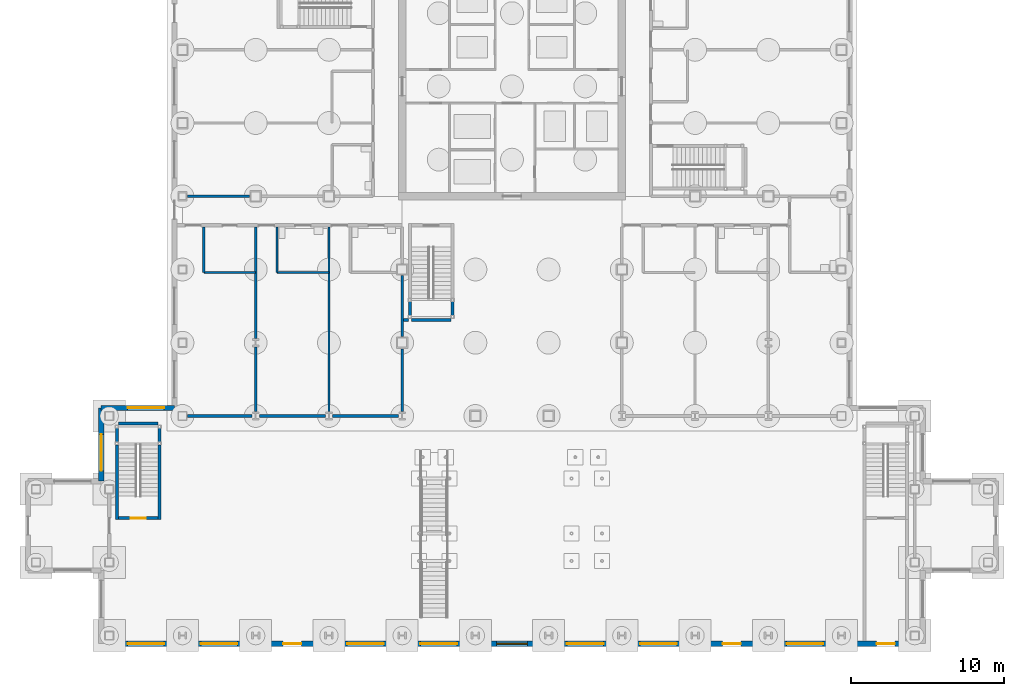
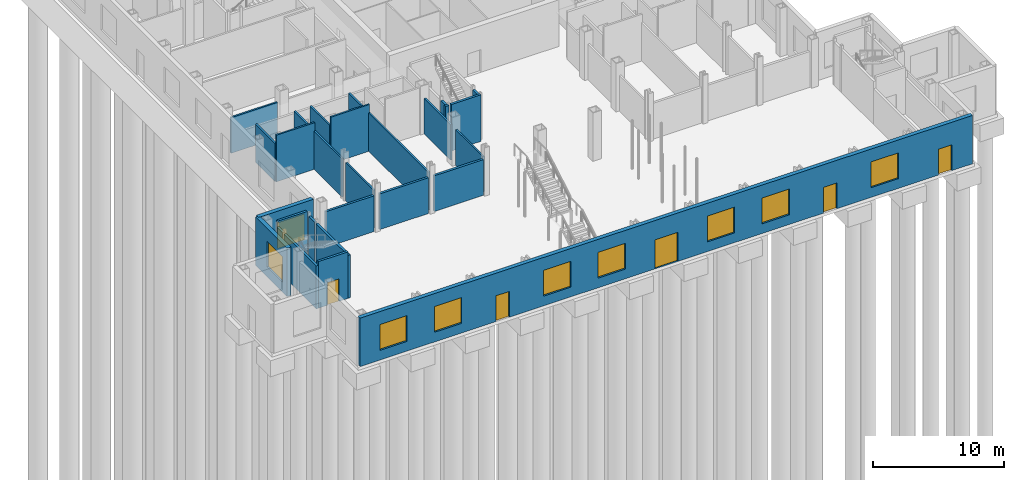
# One storey, part 12 of 22: 26 walls, 9 windows, 5 doors, 14 openings.
"""IFC4 building model written with IfcOpenShell, lengths in metres."""

import ifcopenshell
import ifcopenshell.guid

model = None  # the IFC model being written
_history = None  # IfcOwnerHistory: only IFC2X3 demands one
_inside = {}  # id of a spatial element -> (the spatial element, [elements in it])
_under = {}  # id of a project, library or spatial element -> (it, [spatial elements below it])
_declared = {}  # id of a project -> (the project, [libraries it declares])
_typed = {}  # id of a type object -> (the type object, [elements of that type])
_made_of = {}  # id of a material, layer set ... -> (it, [elements and type objects made of it])


def new_model(schema):
    """Start an empty IFC model of exactly this schema.

    Asked for "IFC4X3", IfcOpenShell would pick the latest addendum, in which some entities
    have other attributes; the version numbers below select the first issue.
    IFC2X3 requires an IfcOwnerHistory on every rooted entity: one is made here for all.
    """
    global model, _history
    if schema == "IFC4X3":
        model = ifcopenshell.file(schema_version=(4, 3, 0, 0))
    else:
        model = ifcopenshell.file(schema=schema)
    _inside.clear()
    _under.clear()
    _declared.clear()
    _typed.clear()
    _made_of.clear()
    _history = None
    if model.schema == "IFC2X3":
        org = make("IfcOrganization", Name="unknown")
        user = make(
            "IfcPersonAndOrganization",
            ThePerson=make("IfcPerson", FamilyName="unknown"),
            TheOrganization=org,
        )
        app = make(
            "IfcApplication",
            ApplicationDeveloper=org,
            Version="unknown",
            ApplicationFullName="unknown",
            ApplicationIdentifier="unknown",
        )
        _history = make(
            "IfcOwnerHistory",
            OwningUser=user,
            OwningApplication=app,
            ChangeAction="ADDED",
            CreationDate=0,
        )
    return model


def make(cls, **values):
    """One entity of the class cls with the attributes given. An attribute that is None is left unset."""
    return model.create_entity(
        cls, **{name: value for name, value in values.items() if value is not None}
    )


def rooted(cls, **values):
    """An entity with a GlobalId (a new one), such as an element, a storey or a relation."""
    return make(cls, GlobalId=ifcopenshell.guid.new(), OwnerHistory=_history, **values)


def si_unit(unit_type, name, prefix=None):
    """IfcSIUnit, for example si_unit("LENGTHUNIT", "METRE", prefix="MILLI")."""
    return make("IfcSIUnit", UnitType=unit_type, Prefix=prefix, Name=name)


def assignment(units):
    """IfcUnitAssignment: the units of a project."""
    return None if units is None else make("IfcUnitAssignment", Units=units)


def point(xyz):
    """IfcCartesianPoint."""
    return None if xyz is None else make("IfcCartesianPoint", Coordinates=xyz)


def direction(xyz):
    """IfcDirection."""
    return None if xyz is None else make("IfcDirection", DirectionRatios=xyz)


def frame(location, z_axis=None, x_axis=None):
    """IfcAxis2Placement3D, a coordinate frame: its origin and axes. An axis left out is left unset."""
    return make(
        "IfcAxis2Placement3D",
        Location=point(location),
        Axis=direction(z_axis),
        RefDirection=direction(x_axis),
    )


def frame_2d(location, x_axis=None):
    """IfcAxis2Placement2D, a coordinate frame in the plane: its origin and x axis."""
    return make(
        "IfcAxis2Placement2D", Location=point(location), RefDirection=direction(x_axis)
    )


def origin():
    """The frame at (0, 0, 0) with its axes left unset."""
    return frame((0.0, 0.0, 0.0))


def place(relative_to, where):
    """IfcLocalPlacement: puts the frame where relative to a parent placement (None: the world)."""
    return make(
        "IfcLocalPlacement", PlacementRelTo=relative_to, RelativePlacement=where
    )


def context(
    kind, dimensions, precision=None, world=None, true_north=None, identifier=None
):
    """IfcGeometricRepresentationContext, for example the 3D "Model" context."""
    return make(
        "IfcGeometricRepresentationContext",
        ContextIdentifier=identifier,
        ContextType=kind,
        CoordinateSpaceDimension=dimensions,
        Precision=precision,
        WorldCoordinateSystem=world,
        TrueNorth=true_north,
    )


def subcontext(parent, identifier, kind, view, scale=None):
    """IfcGeometricRepresentationSubContext, for example "Body" below "Model"."""
    return make(
        "IfcGeometricRepresentationSubContext",
        ContextIdentifier=identifier,
        ContextType=kind,
        ParentContext=parent,
        TargetScale=scale,
        TargetView=view,
    )


def project(units=None, contexts=None):
    """IfcProject with its units and contexts."""
    return rooted(
        "IfcProject",
        Name="project",
        RepresentationContexts=contexts,
        UnitsInContext=assignment(units),
    )


def spatial(cls, under=None, at=None, **own):
    """A site, building, storey or space (cls), placed at a placement, below another one or the project."""
    s = rooted(cls, ObjectPlacement=at, **own)
    if under is not None:
        _under.setdefault(under.id(), (under, []))[1].append(s)
    return s


def profile(cls, at=None, kind="AREA", **sizes):
    """A parametric profile (cls). Its sizes go by their IFC names, for example OverallWidth=200.0."""
    return make(cls, ProfileType=kind, Position=at, **sizes)


def rectangle(**sizes):
    """IfcRectangleProfileDef."""
    return profile("IfcRectangleProfileDef", **sizes)


def extrude(swept, where, along, depth):
    """IfcExtrudedAreaSolid: the profile swept, set in the frame where, extruded along a direction by depth."""
    return make(
        "IfcExtrudedAreaSolid",
        SweptArea=swept,
        Position=where,
        ExtrudedDirection=direction(along),
        Depth=depth,
    )


def shape(context_of_items, identifier, shape_type, items):
    """IfcShapeRepresentation: the items that make up one representation, for example the "Body"."""
    return make(
        "IfcShapeRepresentation",
        ContextOfItems=context_of_items,
        RepresentationIdentifier=identifier,
        RepresentationType=shape_type,
        Items=items,
    )


def material(Name=None, Category=None):
    """IfcMaterial."""
    return make("IfcMaterial", Name=Name, Category=Category)


def layer(
    of_material, thickness, ventilated=None, Name=None, Category=None, Priority=None
):
    """IfcMaterialLayer: one layer of a wall or slab, of a material (None: an air gap)."""
    return make(
        "IfcMaterialLayer",
        Material=of_material,
        LayerThickness=thickness,
        IsVentilated=ventilated,
        Name=Name,
        Category=Category,
        Priority=Priority,
    )


def layer_set(layers, Name=None):
    """IfcMaterialLayerSet."""
    return make("IfcMaterialLayerSet", MaterialLayers=layers, LayerSetName=Name)


def made_of(thing, what):
    """Note that an element or type object is made of a material, layer set ...; save() writes the relation."""
    if what is not None:
        _made_of.setdefault(what.id(), (what, []))[1].append(thing)
    return thing


def type_object(cls, material=None, **own):
    """A type object (cls), such as IfcWallType, which elements share."""
    return made_of(rooted(cls, **own), material)


def element(
    cls,
    number,
    at=None,
    inside=None,
    cuts=None,
    type_object=None,
    material=None,
    context=None,
    identifier="Body",
    shape_type=None,
    held_by="IfcProductDefinitionShape",
    body=None,
    shapes=None,
    **own,
):
    """One element of the class cls, such as IfcWall. Its Tag is "e" and its number.

    at: its placement. inside: the storey or other place that contains it. cuts: it is an
    opening in that element (IfcRelVoidsElement). A single representation is given by context,
    identifier, shape_type and body (its items); several are given by shapes. held_by: the class
    of the entity that holds the representations. save() writes the other relations.
    """
    e = rooted(cls, Tag="e%d" % number, ObjectPlacement=at, **own)
    if body is not None:
        shapes = [shape(context, identifier, shape_type, body)]
    if shapes is not None:
        e.Representation = make(held_by, Representations=shapes)
    if inside is not None:
        _inside.setdefault(inside.id(), (inside, []))[1].append(e)
    if cuts is not None:
        rooted(
            "IfcRelVoidsElement", RelatingBuildingElement=cuts, RelatedOpeningElement=e
        )
    if type_object is not None:
        _typed.setdefault(type_object.id(), (type_object, []))[1].append(e)
    return made_of(e, material)


def fill(opening, filler):
    """IfcRelFillsElement: the door or window that sits in an opening."""
    return rooted(
        "IfcRelFillsElement",
        RelatingOpeningElement=opening,
        RelatedBuildingElement=filler,
    )


def aggregate(whole, parts):
    """IfcRelAggregates: a whole, such as a stair, and the parts it consists of."""
    return rooted("IfcRelAggregates", RelatingObject=whole, RelatedObjects=parts)


def save(model, path):
    """Write the relations noted so far, then the file.

    IfcRelAggregates (storeys below a building ...), IfcRelContainedInSpatialStructure (elements
    in a storey), IfcRelDefinesByType, IfcRelAssociatesMaterial and IfcRelDeclares: one each for
    every whole, place, type object, material and project.
    """
    for whole, parts in _under.values():
        aggregate(whole, parts)
    for where, things in _inside.values():
        rooted(
            "IfcRelContainedInSpatialStructure",
            RelatedElements=things,
            RelatingStructure=where,
        )
    for kind, things in _typed.values():
        rooted("IfcRelDefinesByType", RelatedObjects=things, RelatingType=kind)
    for what, things in _made_of.values():
        rooted("IfcRelAssociatesMaterial", RelatedObjects=things, RelatingMaterial=what)
    for by, libraries in _declared.values():
        rooted("IfcRelDeclares", RelatingContext=by, RelatedDefinitions=libraries)
    model.write(path)


model = new_model("IFC4")

# Units and contexts
model_context = context("Model", 3, precision=1e-05, world=origin(), true_north=direction((0.0, 1.0)))
body_context = subcontext(model_context, "Body", "Model", "MODEL_VIEW")
ifc_project = project(units=[si_unit("LENGTHUNIT", "METRE"), si_unit("AREAUNIT", "SQUARE_METRE"), si_unit("VOLUMEUNIT", "CUBIC_METRE"), si_unit("PLANEANGLEUNIT", "RADIAN"), si_unit("MASSUNIT", "GRAM", prefix="KILO")], contexts=[model_context])

# Site, building, storey
site_placement = place(None, origin())
site = spatial("IfcSite", under=ifc_project, at=site_placement, CompositionType="ELEMENT")
building_placement = place(site_placement, origin())
building = spatial("IfcBuilding", under=site, at=building_placement, Name="Kvirike Care Tower", CompositionType="ELEMENT")
storey_placement = place(building_placement, origin())
storey = spatial("IfcBuildingStorey", under=building, at=storey_placement, Name="L00", CompositionType="ELEMENT", Elevation=0.0)

# Walls
ifc_material_1 = material(Name="Plasterboard partition", Category="gypsum")
ifc_layer_1 = layer(ifc_material_1, 0.14990234375)
ifc_layer_set_1 = layer_set([ifc_layer_1], Name="CLINIC PARTITION 150")
wall_type_1 = type_object("IfcWallType", Name="CLINIC PARTITION 150", PredefinedType="PARTITIONING", material=ifc_layer_set_1)
wall_1_placement = place(storey_placement, frame((1.39990234375, 23.800048828125, 0.0), z_axis=(0.0, 0.0, 1.0), x_axis=(0.0, 1.0, 0.0)))
element("IfcWall", 1, at=wall_1_placement, inside=storey, type_object=wall_type_1, Name="Clinic Partition 150 L00", PredefinedType="PARTITIONING", context=body_context, shape_type="SweptSolid", body=[
    extrude(rectangle(XDim=3.0, YDim=0.14990234375, at=frame_2d((1.5, 0.0))), origin(), (0.0, 0.0, 1.0), 3.550048828125),
])
wall_2_placement = place(storey_placement, frame((1.39990234375, 23.800048828125, 0.0), z_axis=(0.0, 0.0, 1.0), x_axis=(1.0, 0.0, 0.0)))
element("IfcWall", 2, at=wall_2_placement, inside=storey, type_object=wall_type_1, Name="Clinic Partition 150 L00", PredefinedType="PARTITIONING", context=body_context, shape_type="SweptSolid", body=[
    extrude(rectangle(XDim=3.400146484375, YDim=0.14990234375, at=frame_2d((1.7001953125, 0.0))), origin(), (0.0, 0.0, 1.0), 4.330078125),
])
wall_3_placement = place(storey_placement, frame((6.199951171875, 23.800048828125, 0.0), z_axis=(0.0, 0.0, 1.0), x_axis=(0.0, 1.0, 0.0)))
element("IfcWall", 3, at=wall_3_placement, inside=storey, type_object=wall_type_1, Name="Clinic Partition 150 L00", PredefinedType="PARTITIONING", context=body_context, shape_type="SweptSolid", body=[
    extrude(rectangle(XDim=3.0, YDim=0.14990234375, at=frame_2d((1.5, 0.0))), origin(), (0.0, 0.0, 1.0), 3.550048828125),
])
wall_4_placement = place(storey_placement, frame((6.199951171875, 23.800048828125, 0.0), z_axis=(0.0, 0.0, 1.0), x_axis=(1.0, 0.0, 0.0)))
element("IfcWall", 4, at=wall_4_placement, inside=storey, type_object=wall_type_1, Name="Clinic Partition 150 L00", PredefinedType="PARTITIONING", context=body_context, shape_type="SweptSolid", body=[
    extrude(rectangle(XDim=3.400146484375, YDim=0.14990234375, at=frame_2d((1.7001953125, 0.0))), origin(), (0.0, 0.0, 1.0), 4.330078125),
])
wall_5_placement = place(storey_placement, frame((4.800048828125, 14.685546875, 0.0), z_axis=(0.0, 0.0, 1.0), x_axis=(0.0, 1.0, 0.0)))
element("IfcWall", 5, at=wall_5_placement, inside=storey, type_object=wall_type_1, Name="Clinic Partition 150 L00", PredefinedType="PARTITIONING", context=body_context, shape_type="SweptSolid", body=[
    extrude(rectangle(XDim=4.22900390625, YDim=0.14990234375, at=frame_2d((2.114501953125, 0.0))), origin(), (0.0, 0.0, 1.0), 3.550048828125),
])
wall_6_placement = place(storey_placement, frame((4.800048828125, 19.485595703125, 0.0), z_axis=(0.0, 0.0, 1.0), x_axis=(0.0, 1.0, 0.0)))
element("IfcWall", 6, at=wall_6_placement, inside=storey, type_object=wall_type_1, Name="Clinic Partition 150 L00", PredefinedType="PARTITIONING", context=body_context, shape_type="SweptSolid", body=[
    extrude(rectangle(XDim=7.314453125, YDim=0.14990234375, at=frame_2d((3.6572265625, 0.0))), origin(), (0.0, 0.0, 1.0), 3.550048828125),
])
wall_7_placement = place(storey_placement, frame((9.60009765625, 14.685546875, 0.0), z_axis=(0.0, 0.0, 1.0), x_axis=(0.0, 1.0, 0.0)))
element("IfcWall", 7, at=wall_7_placement, inside=storey, type_object=wall_type_1, Name="Clinic Partition 150 L00", PredefinedType="PARTITIONING", context=body_context, shape_type="SweptSolid", body=[
    extrude(rectangle(XDim=12.114501953125, YDim=0.14990234375, at=frame_2d((6.05712890625, 0.0))), origin(), (0.0, 0.0, 1.0), 3.550048828125),
])
wall_8_placement = place(storey_placement, frame((4.405029296875, 28.800048828125, 0.0), z_axis=(0.0, 0.0, 1.0), x_axis=(-1.0, 0.0, 0.0)))
element("IfcWall", 8, at=wall_8_placement, inside=storey, type_object=wall_type_1, Name="Clinic Partition 150 L00", PredefinedType="PARTITIONING", context=body_context, shape_type="SweptSolid", body=[
    extrude(rectangle(XDim=4.0849609375, YDim=0.14990234375, at=frame_2d((2.04248046875, 0.0))), origin(), (0.0, 0.0, 1.0), 3.320068359375),
])
wall_9_placement = place(storey_placement, frame((14.39990234375, 14.685546875, 0.0), z_axis=(0.0, 0.0, 1.0), x_axis=(0.0, 1.0, 0.0)))
element("IfcWall", 9, at=wall_9_placement, inside=storey, type_object=wall_type_1, Name="Clinic Partition 150 L00", PredefinedType="PARTITIONING", context=body_context, shape_type="SweptSolid", body=[
    extrude(rectangle(XDim=4.119384765625, YDim=0.14990234375, at=frame_2d((2.0595703125, 0.0))), origin(), (0.0, 0.0, 1.0), 3.320068359375),
])
wall_10_placement = place(storey_placement, frame((14.39990234375, 19.594970703125, 0.0), z_axis=(0.0, 0.0, 1.0), x_axis=(0.0, 1.0, 0.0)))
element("IfcWall", 10, at=wall_10_placement, inside=storey, type_object=wall_type_1, Name="Clinic Partition 150 L00", PredefinedType="PARTITIONING", context=body_context, shape_type="SweptSolid", body=[
    extrude(rectangle(XDim=4.010009765625, YDim=0.14990234375, at=frame_2d((2.0048828125, 0.0))), origin(), (0.0, 0.0, 1.0), 3.320068359375),
])
ifc_material_2 = material(Name="Plasterboard party wall", Category="gypsum")
ifc_layer_2 = layer(ifc_material_2, 0.199951171875)
ifc_layer_set_2 = layer_set([ifc_layer_2], Name="PARTY WALL 200")
wall_type_2 = type_object("IfcWallType", Name="PARTY WALL 200", PredefinedType="PARTITIONING", material=ifc_layer_set_2)
wall_11_placement = place(storey_placement, frame((0.320068359375, 14.39990234375, 0.0), z_axis=(0.0, 0.0, 1.0), x_axis=(1.0, 0.0, 0.0)))
element("IfcWall", 11, at=wall_11_placement, inside=storey, type_object=wall_type_2, Name="Party Wall 200 L00", PredefinedType="PARTITIONING", context=body_context, shape_type="SweptSolid", body=[
    extrude(rectangle(XDim=4.239013671875, YDim=0.199951171875, at=frame_2d((2.11962890625, 0.0))), origin(), (0.0, 0.0, 1.0), 3.320068359375),
])
for number, where, z_axis, x_axis, name in (
    (12, (5.041015625, 14.39990234375, 0.0), (0.0, 0.0, 1.0), (1.0, 0.0, 0.0), "Party Wall 200 L00"),
    (13, (9.841064453125, 14.39990234375, 0.0), (0.0, 0.0, 1.0), (1.0, 0.0, 0.0), "Party Wall 200 L00"),
):
    element("IfcWall", number, at=place(storey_placement, frame(where, z_axis=z_axis, x_axis=x_axis)), inside=storey, type_object=wall_type_2, Name=name, PredefinedType="PARTITIONING", context=body_context, shape_type="SweptSolid", body=[
        extrude(rectangle(XDim=4.31787109375, YDim=0.199951171875, at=frame_2d((2.158935546875, 0.0))), origin(), (0.0, 0.0, 1.0), 3.320068359375),
    ])

# Wall, openings, doors, windows
ifc_material_3 = material(Name="Bronze-clad concrete wall", Category="concrete")
ifc_layer_3 = layer(ifc_material_3, 0.35009765625)
ifc_layer_set_3 = layer_set([ifc_layer_3], Name="PODIUM BASE WALL 350")
wall_type_3 = type_object("IfcWallType", Name="PODIUM BASE WALL 350", PredefinedType="SOLIDWALL", material=ifc_layer_set_3)
wall_12_placement = place(storey_placement, frame((-5.324951171875, -0.52490234375, 0.0), z_axis=(0.0, 0.0, 1.0), x_axis=(1.0, 0.0, 0.0)))
wall_12 = element("IfcWall", 14, at=wall_12_placement, inside=storey, type_object=wall_type_3, Name="Podium base wall face 1", PredefinedType="SOLIDWALL", context=body_context, shape_type="SweptSolid", body=[
    extrude(rectangle(XDim=53.849853515625, YDim=0.35009765625, at=frame_2d((26.9248046875, 0.0))), origin(), (0.0, 0.0, 1.0), 4.5),
])
opening_1_placement = place(wall_12_placement, frame((25.925048828125, 0.0, 0.0)))
opening_1 = element("IfcOpeningElement", 15, at=opening_1_placement, cuts=wall_12, Name="Opening 00-901", PredefinedType="OPENING", context=body_context, shape_type="SweptSolid", body=[
    extrude(rectangle(XDim=2.0, YDim=2.699951171875, at=frame_2d((1.0, 1.35009765625))), frame((0.0, 0.185546875, 0.0), z_axis=(0.0, -1.0, 0.0), x_axis=(1.0, 0.0, 0.0)), (0.0, 0.0, 1.0), 0.37109375),
])
opening_2_placement = place(wall_12_placement, frame((11.925048828125, 0.0, 0.0)))
opening_2 = element("IfcOpeningElement", 16, at=opening_2_placement, cuts=wall_12, Name="Opening 00-902", PredefinedType="OPENING", context=body_context, shape_type="SweptSolid", body=[
    extrude(rectangle(XDim=1.199951171875, YDim=2.39990234375, at=frame_2d((0.60009765625, 1.199951171875))), frame((0.0, 0.185546875, 0.0), z_axis=(0.0, -1.0, 0.0), x_axis=(1.0, 0.0, 0.0)), (0.0, 0.0, 1.0), 0.37109375),
])
opening_3_placement = place(wall_12_placement, frame((40.72509765625, 0.0, 0.0)))
opening_3 = element("IfcOpeningElement", 17, at=opening_3_placement, cuts=wall_12, Name="Opening 00-903", PredefinedType="OPENING", context=body_context, shape_type="SweptSolid", body=[
    extrude(rectangle(XDim=1.199951171875, YDim=2.39990234375, at=frame_2d((0.60009765625, 1.199951171875))), frame((0.0, 0.185546875, 0.0), z_axis=(0.0, -1.0, 0.0), x_axis=(1.0, 0.0, 0.0)), (0.0, 0.0, 1.0), 0.37109375),
])
opening_4_placement = place(wall_12_placement, frame((50.824951171875, 0.0, 0.0)))
opening_4 = element("IfcOpeningElement", 18, at=opening_4_placement, cuts=wall_12, Name="Opening 00-910", PredefinedType="OPENING", context=body_context, shape_type="SweptSolid", body=[
    extrude(rectangle(XDim=1.199951171875, YDim=2.39990234375, at=frame_2d((0.60009765625, 1.199951171875))), frame((0.0, 0.185546875, 0.0), z_axis=(0.0, -1.0, 0.0), x_axis=(1.0, 0.0, 0.0)), (0.0, 0.0, 1.0), 0.37109375),
])
opening_5_placement = place(wall_12_placement, frame((1.72509765625, 0.0, 0.89990234375)))
opening_5 = element("IfcOpeningElement", 19, at=opening_5_placement, cuts=wall_12, Name="Opening W02", PredefinedType="OPENING", context=body_context, shape_type="SweptSolid", body=[
    extrude(rectangle(XDim=2.39990234375, YDim=2.39990234375, at=frame_2d((1.199951171875, 1.199951171875))), frame((0.0, 0.185546875, 0.0), z_axis=(0.0, -1.0, 0.0), x_axis=(1.0, 0.0, 0.0)), (0.0, 0.0, 1.0), 0.37109375),
])
opening_6_placement = place(wall_12_placement, frame((6.52490234375, 0.0, 0.89990234375)))
opening_6 = element("IfcOpeningElement", 20, at=opening_6_placement, cuts=wall_12, Name="Opening W02", PredefinedType="OPENING", context=body_context, shape_type="SweptSolid", body=[
    extrude(rectangle(XDim=2.39990234375, YDim=2.39990234375, at=frame_2d((1.199951171875, 1.199951171875))), frame((0.0, 0.185546875, 0.0), z_axis=(0.0, -1.0, 0.0), x_axis=(1.0, 0.0, 0.0)), (0.0, 0.0, 1.0), 0.37109375),
])
opening_7_placement = place(wall_12_placement, frame((16.125, 0.0, 0.89990234375)))
opening_7 = element("IfcOpeningElement", 21, at=opening_7_placement, cuts=wall_12, Name="Opening W02", PredefinedType="OPENING", context=body_context, shape_type="SweptSolid", body=[
    extrude(rectangle(XDim=2.39990234375, YDim=2.39990234375, at=frame_2d((1.199951171875, 1.199951171875))), frame((0.0, 0.185546875, 0.0), z_axis=(0.0, -1.0, 0.0), x_axis=(1.0, 0.0, 0.0)), (0.0, 0.0, 1.0), 0.37109375),
])
opening_8_placement = place(wall_12_placement, frame((20.925048828125, 0.0, 0.89990234375)))
opening_8 = element("IfcOpeningElement", 22, at=opening_8_placement, cuts=wall_12, Name="Opening W02", PredefinedType="OPENING", context=body_context, shape_type="SweptSolid", body=[
    extrude(rectangle(XDim=2.39990234375, YDim=2.39990234375, at=frame_2d((1.199951171875, 1.199951171875))), frame((0.0, 0.185546875, 0.0), z_axis=(0.0, -1.0, 0.0), x_axis=(1.0, 0.0, 0.0)), (0.0, 0.0, 1.0), 0.37109375),
])
opening_9_placement = place(wall_12_placement, frame((30.52490234375, 0.0, 0.89990234375)))
opening_9 = element("IfcOpeningElement", 23, at=opening_9_placement, cuts=wall_12, Name="Opening W02", PredefinedType="OPENING", context=body_context, shape_type="SweptSolid", body=[
    extrude(rectangle(XDim=2.39990234375, YDim=2.39990234375, at=frame_2d((1.199951171875, 1.199951171875))), frame((0.0, 0.185546875, 0.0), z_axis=(0.0, -1.0, 0.0), x_axis=(1.0, 0.0, 0.0)), (0.0, 0.0, 1.0), 0.37109375),
])
opening_10_placement = place(wall_12_placement, frame((35.324951171875, 0.0, 0.89990234375)))
opening_10 = element("IfcOpeningElement", 24, at=opening_10_placement, cuts=wall_12, Name="Opening W02", PredefinedType="OPENING", context=body_context, shape_type="SweptSolid", body=[
    extrude(rectangle(XDim=2.39990234375, YDim=2.39990234375, at=frame_2d((1.199951171875, 1.199951171875))), frame((0.0, 0.185546875, 0.0), z_axis=(0.0, -1.0, 0.0), x_axis=(1.0, 0.0, 0.0)), (0.0, 0.0, 1.0), 0.37109375),
])
opening_11_placement = place(wall_12_placement, frame((44.925048828125, 0.0, 0.89990234375)))
opening_11 = element("IfcOpeningElement", 25, at=opening_11_placement, cuts=wall_12, Name="Opening W02", PredefinedType="OPENING", context=body_context, shape_type="SweptSolid", body=[
    extrude(rectangle(XDim=2.39990234375, YDim=2.39990234375, at=frame_2d((1.199951171875, 1.199951171875))), frame((0.0, 0.185546875, 0.0), z_axis=(0.0, -1.0, 0.0), x_axis=(1.0, 0.0, 0.0)), (0.0, 0.0, 1.0), 0.37109375),
])
ifc_material_4 = material(Name="Aluminium door frame", Category="aluminium")
door_type_1 = type_object("IfcDoorType", Name="ENTRANCE DOOR 2000", OperationType="DOUBLE_DOOR_SINGLE_SWING", PredefinedType="DOOR", material=ifc_material_4)
door_1_placement = place(opening_1_placement, frame((2.0, 0.0, 0.0), z_axis=(0.0, 0.0, 1.0), x_axis=(-1.0, 0.0, 0.0)))
door_1 = element("IfcDoor", 26, at=door_1_placement, inside=storey, type_object=door_type_1, Name="Main entrance", OperationType="DOUBLE_DOOR_SINGLE_SWING", OverallHeight=2.699951171875, OverallWidth=2.0, PredefinedType="DOOR", context=body_context, shape_type="SweptSolid", body=[
    extrude(rectangle(XDim=2.0, YDim=2.699951171875, at=frame_2d((1.0, 1.35009765625))), frame((0.0, 0.03515625, 0.0), z_axis=(0.0, -1.0, 0.0), x_axis=(1.0, 0.0, 0.0)), (0.0, 0.0, 1.0), 0.070068359375),
])
fill(opening_1, door_1)
ifc_material_5 = material(Name="Timber door set", Category="wood")
door_type_2 = type_object("IfcDoorType", Name="EXIT DOOR 1200", OperationType="SINGLE_SWING_LEFT", PredefinedType="DOOR", material=ifc_material_5)
door_2_placement = place(opening_2_placement, frame((1.199951171875, 0.0, 0.0), z_axis=(0.0, 0.0, 1.0), x_axis=(-1.0, 0.0, 0.0)))
door_2 = element("IfcDoor", 27, at=door_2_placement, inside=storey, type_object=door_type_2, Name="Reception exit", OperationType="SINGLE_SWING_LEFT", OverallHeight=2.39990234375, OverallWidth=1.199951171875, PredefinedType="DOOR", context=body_context, shape_type="SweptSolid", body=[
    extrude(rectangle(XDim=1.199951171875, YDim=2.39990234375, at=frame_2d((0.60009765625, 1.199951171875))), frame((0.0, 0.02685546875, 0.0), z_axis=(0.0, -1.0, 0.0), x_axis=(1.0, 0.0, 0.0)), (0.0, 0.0, 1.0), 0.053955078125),
])
fill(opening_2, door_2)
door_3_placement = place(opening_3_placement, frame((1.199951171875, 0.0, 0.0), z_axis=(0.0, 0.0, 1.0), x_axis=(-1.0, 0.0, 0.0)))
door_3 = element("IfcDoor", 28, at=door_3_placement, inside=storey, type_object=door_type_2, Name="Cafe exit", OperationType="SINGLE_SWING_LEFT", OverallHeight=2.39990234375, OverallWidth=1.199951171875, PredefinedType="DOOR", context=body_context, shape_type="SweptSolid", body=[
    extrude(rectangle(XDim=1.199951171875, YDim=2.39990234375, at=frame_2d((0.60009765625, 1.199951171875))), frame((0.0, 0.02685546875, 0.0), z_axis=(0.0, -1.0, 0.0), x_axis=(1.0, 0.0, 0.0)), (0.0, 0.0, 1.0), 0.053955078125),
])
fill(opening_3, door_3)
door_4_placement = place(opening_4_placement, frame((1.199951171875, 0.0, 0.0), z_axis=(0.0, 0.0, 1.0), x_axis=(-1.0, 0.0, 0.0)))
door_4 = element("IfcDoor", 29, at=door_4_placement, inside=storey, type_object=door_type_2, Name="Stair 4 exit", OperationType="SINGLE_SWING_LEFT", OverallHeight=2.39990234375, OverallWidth=1.199951171875, PredefinedType="DOOR", context=body_context, shape_type="SweptSolid", body=[
    extrude(rectangle(XDim=1.199951171875, YDim=2.39990234375, at=frame_2d((0.60009765625, 1.199951171875))), frame((0.0, 0.02685546875, 0.0), z_axis=(0.0, -1.0, 0.0), x_axis=(1.0, 0.0, 0.0)), (0.0, 0.0, 1.0), 0.053955078125),
])
fill(opening_4, door_4)
ifc_material_6 = material(Name="Bronze anodised aluminium window", Category="aluminium")
window_type = type_object("IfcWindowType", Name="PODIUM WINDOW 2400", PartitioningType="SINGLE_PANEL", PredefinedType="WINDOW", material=ifc_material_6)
window_1_placement = place(opening_5_placement, origin())
window_1 = element("IfcWindow", 30, at=window_1_placement, inside=storey, type_object=window_type, Name="Podium Window 2400 L00", OverallHeight=2.39990234375, OverallWidth=2.39990234375, PartitioningType="SINGLE_PANEL", PredefinedType="WINDOW", context=body_context, shape_type="SweptSolid", body=[
    extrude(rectangle(XDim=2.39990234375, YDim=2.39990234375, at=frame_2d((1.199951171875, 1.199951171875))), frame((0.0, 0.030029296875, 0.0), z_axis=(0.0, -1.0, 0.0), x_axis=(1.0, 0.0, 0.0)), (0.0, 0.0, 1.0), 0.06005859375),
])
fill(opening_5, window_1)
window_2_placement = place(opening_6_placement, origin())
window_2 = element("IfcWindow", 31, at=window_2_placement, inside=storey, type_object=window_type, Name="Podium Window 2400 L00", OverallHeight=2.39990234375, OverallWidth=2.39990234375, PartitioningType="SINGLE_PANEL", PredefinedType="WINDOW", context=body_context, shape_type="SweptSolid", body=[
    extrude(rectangle(XDim=2.39990234375, YDim=2.39990234375, at=frame_2d((1.199951171875, 1.199951171875))), frame((0.0, 0.030029296875, 0.0), z_axis=(0.0, -1.0, 0.0), x_axis=(1.0, 0.0, 0.0)), (0.0, 0.0, 1.0), 0.06005859375),
])
fill(opening_6, window_2)
window_3_placement = place(opening_7_placement, origin())
window_3 = element("IfcWindow", 32, at=window_3_placement, inside=storey, type_object=window_type, Name="Podium Window 2400 L00", OverallHeight=2.39990234375, OverallWidth=2.39990234375, PartitioningType="SINGLE_PANEL", PredefinedType="WINDOW", context=body_context, shape_type="SweptSolid", body=[
    extrude(rectangle(XDim=2.39990234375, YDim=2.39990234375, at=frame_2d((1.199951171875, 1.199951171875))), frame((0.0, 0.030029296875, 0.0), z_axis=(0.0, -1.0, 0.0), x_axis=(1.0, 0.0, 0.0)), (0.0, 0.0, 1.0), 0.06005859375),
])
fill(opening_7, window_3)
window_4_placement = place(opening_8_placement, origin())
window_4 = element("IfcWindow", 33, at=window_4_placement, inside=storey, type_object=window_type, Name="Podium Window 2400 L00", OverallHeight=2.39990234375, OverallWidth=2.39990234375, PartitioningType="SINGLE_PANEL", PredefinedType="WINDOW", context=body_context, shape_type="SweptSolid", body=[
    extrude(rectangle(XDim=2.39990234375, YDim=2.39990234375, at=frame_2d((1.199951171875, 1.199951171875))), frame((0.0, 0.030029296875, 0.0), z_axis=(0.0, -1.0, 0.0), x_axis=(1.0, 0.0, 0.0)), (0.0, 0.0, 1.0), 0.06005859375),
])
fill(opening_8, window_4)
window_5_placement = place(opening_9_placement, origin())
window_5 = element("IfcWindow", 34, at=window_5_placement, inside=storey, type_object=window_type, Name="Podium Window 2400 L00", OverallHeight=2.39990234375, OverallWidth=2.39990234375, PartitioningType="SINGLE_PANEL", PredefinedType="WINDOW", context=body_context, shape_type="SweptSolid", body=[
    extrude(rectangle(XDim=2.39990234375, YDim=2.39990234375, at=frame_2d((1.199951171875, 1.199951171875))), frame((0.0, 0.030029296875, 0.0), z_axis=(0.0, -1.0, 0.0), x_axis=(1.0, 0.0, 0.0)), (0.0, 0.0, 1.0), 0.06005859375),
])
fill(opening_9, window_5)
window_6_placement = place(opening_10_placement, origin())
window_6 = element("IfcWindow", 35, at=window_6_placement, inside=storey, type_object=window_type, Name="Podium Window 2400 L00", OverallHeight=2.39990234375, OverallWidth=2.39990234375, PartitioningType="SINGLE_PANEL", PredefinedType="WINDOW", context=body_context, shape_type="SweptSolid", body=[
    extrude(rectangle(XDim=2.39990234375, YDim=2.39990234375, at=frame_2d((1.199951171875, 1.199951171875))), frame((0.0, 0.030029296875, 0.0), z_axis=(0.0, -1.0, 0.0), x_axis=(1.0, 0.0, 0.0)), (0.0, 0.0, 1.0), 0.06005859375),
])
fill(opening_10, window_6)
window_7_placement = place(opening_11_placement, origin())
window_7 = element("IfcWindow", 36, at=window_7_placement, inside=storey, type_object=window_type, Name="Podium Window 2400 L00", OverallHeight=2.39990234375, OverallWidth=2.39990234375, PartitioningType="SINGLE_PANEL", PredefinedType="WINDOW", context=body_context, shape_type="SweptSolid", body=[
    extrude(rectangle(XDim=2.39990234375, YDim=2.39990234375, at=frame_2d((1.199951171875, 1.199951171875))), frame((0.0, 0.030029296875, 0.0), z_axis=(0.0, -1.0, 0.0), x_axis=(1.0, 0.0, 0.0)), (0.0, 0.0, 1.0), 0.06005859375),
])
fill(opening_11, window_7)

# Wall, opening, window
wall_13_placement = place(storey_placement, frame((-0.52490234375, 14.925048828125, 0.0), z_axis=(0.0, 0.0, 1.0), x_axis=(-1.0, 0.0, 0.0)))
wall_13 = element("IfcWall", 37, at=wall_13_placement, inside=storey, type_object=wall_type_3, Name="Podium base wall face 15", PredefinedType="SOLIDWALL", context=body_context, shape_type="SweptSolid", body=[
    extrude(rectangle(XDim=4.800048828125, YDim=0.35009765625, at=frame_2d((2.39990234375, 0.0))), origin(), (0.0, 0.0, 1.0), 4.5),
])
opening_12_placement = place(wall_13_placement, frame((0.675048828125, 0.0, 0.89990234375)))
opening_12 = element("IfcOpeningElement", 38, at=opening_12_placement, cuts=wall_13, Name="Opening W02", PredefinedType="OPENING", context=body_context, shape_type="SweptSolid", body=[
    extrude(rectangle(XDim=2.39990234375, YDim=2.39990234375, at=frame_2d((1.199951171875, 1.199951171875))), frame((0.0, 0.185546875, 0.0), z_axis=(0.0, -1.0, 0.0), x_axis=(1.0, 0.0, 0.0)), (0.0, 0.0, 1.0), 0.37109375),
])
window_8_placement = place(opening_12_placement, origin())
window_8 = element("IfcWindow", 39, at=window_8_placement, inside=storey, type_object=window_type, Name="Podium Window 2400 L00", OverallHeight=2.39990234375, OverallWidth=2.39990234375, PartitioningType="SINGLE_PANEL", PredefinedType="WINDOW", context=body_context, shape_type="SweptSolid", body=[
    extrude(rectangle(XDim=2.39990234375, YDim=2.39990234375, at=frame_2d((1.199951171875, 1.199951171875))), frame((0.0, 0.030029296875, 0.0), z_axis=(0.0, -1.0, 0.0), x_axis=(1.0, 0.0, 0.0)), (0.0, 0.0, 1.0), 0.06005859375),
])
fill(opening_12, window_8)

wall_14_placement = place(storey_placement, frame((-5.324951171875, 14.925048828125, 0.0), z_axis=(0.0, 0.0, 1.0), x_axis=(0.0, -1.0, 0.0)))
wall_14 = element("IfcWall", 40, at=wall_14_placement, inside=storey, type_object=wall_type_3, Name="Podium base wall face 16", PredefinedType="SOLIDWALL", context=body_context, shape_type="SweptSolid", body=[
    extrude(rectangle(XDim=4.800048828125, YDim=0.35009765625, at=frame_2d((2.39990234375, 0.0))), origin(), (0.0, 0.0, 1.0), 4.5),
])
opening_13_placement = place(wall_14_placement, frame((1.72509765625, 0.0, 0.89990234375)))
opening_13 = element("IfcOpeningElement", 41, at=opening_13_placement, cuts=wall_14, Name="Opening W02", PredefinedType="OPENING", context=body_context, shape_type="SweptSolid", body=[
    extrude(rectangle(XDim=2.39990234375, YDim=2.39990234375, at=frame_2d((1.199951171875, 1.199951171875))), frame((0.0, 0.185546875, 0.0), z_axis=(0.0, -1.0, 0.0), x_axis=(1.0, 0.0, 0.0)), (0.0, 0.0, 1.0), 0.37109375),
])
window_9_placement = place(opening_13_placement, origin())
window_9 = element("IfcWindow", 42, at=window_9_placement, inside=storey, type_object=window_type, Name="Podium Window 2400 L00", OverallHeight=2.39990234375, OverallWidth=2.39990234375, PartitioningType="SINGLE_PANEL", PredefinedType="WINDOW", context=body_context, shape_type="SweptSolid", body=[
    extrude(rectangle(XDim=2.39990234375, YDim=2.39990234375, at=frame_2d((1.199951171875, 1.199951171875))), frame((0.0, 0.030029296875, 0.0), z_axis=(0.0, -1.0, 0.0), x_axis=(1.0, 0.0, 0.0)), (0.0, 0.0, 1.0), 0.06005859375),
])
fill(opening_13, window_9)

# Walls
ifc_material_7 = material(Name="Concrete C40/50", Category="concrete")
ifc_layer_4 = layer(ifc_material_7, 0.199951171875)
ifc_layer_set_4 = layer_set([ifc_layer_4], Name="STAIR WALL 200")
wall_type_4 = type_object("IfcWallType", Name="STAIR WALL 200", PredefinedType="SOLIDWALL", material=ifc_layer_set_4)
for number, where, z_axis, x_axis, name in (
    (43, (14.89990234375, 21.0, 0.0), (0.0, 0.0, 1.0), (0.0, 1.0, 0.0), "Stair Wall 200 L00"),
    (44, (17.699951171875, 21.0, 0.0), (0.0, 0.0, 1.0), (0.0, 1.0, 0.0), "Stair Wall 200 L00"),
):
    element("IfcWall", number, at=place(storey_placement, frame(where, z_axis=z_axis, x_axis=x_axis)), inside=storey, type_object=wall_type_4, Name=name, PredefinedType="SOLIDWALL", context=body_context, shape_type="SweptSolid", body=[
        extrude(rectangle(XDim=0.89990234375, YDim=0.199951171875, at=frame_2d((0.449951171875, 0.0))), origin(), (0.0, 0.0, 1.0), 3.989990234375),
    ])
wall_15_placement = place(storey_placement, frame((14.47509765625, 20.699951171875, 0.0), z_axis=(0.0, 0.0, 1.0), x_axis=(1.0, 0.0, 0.0)))
element("IfcWall", 45, at=wall_15_placement, inside=storey, type_object=wall_type_4, Name="Stair Wall 200 L00", PredefinedType="SOLIDWALL", context=body_context, shape_type="SweptSolid", body=[
    extrude(rectangle(XDim=0.324951171875, YDim=0.199951171875, at=frame_2d((0.16259765625, 0.0))), origin(), (0.0, 0.0, 1.0), 4.330078125),
])
wall_16_placement = place(storey_placement, frame((15.0, 20.699951171875, 0.0), z_axis=(0.0, 0.0, 1.0), x_axis=(1.0, 0.0, 0.0)))
element("IfcWall", 46, at=wall_16_placement, inside=storey, type_object=wall_type_4, Name="Stair Wall 200 L00", PredefinedType="SOLIDWALL", context=body_context, shape_type="SweptSolid", body=[
    extrude(rectangle(XDim=2.60009765625, YDim=0.199951171875, at=frame_2d((1.300048828125, 0.0))), origin(), (0.0, 0.0, 1.0), 4.330078125),
])
wall_17_placement = place(storey_placement, frame((-4.300048828125, 13.60009765625, 0.0), z_axis=(0.0, 0.0, 1.0), x_axis=(0.0, -1.0, 0.0)))
element("IfcWall", 47, at=wall_17_placement, inside=storey, type_object=wall_type_4, Name="Stair Wall 200 L00", PredefinedType="SOLIDWALL", context=body_context, shape_type="SweptSolid", body=[
    extrude(rectangle(XDim=0.900146484375, YDim=0.199951171875, at=frame_2d((0.4501953125, 0.0))), origin(), (0.0, 0.0, 1.0), 3.989990234375),
])
wall_18_placement = place(storey_placement, frame((-4.300048828125, 12.5, 0.0), z_axis=(0.0, 0.0, 1.0), x_axis=(0.0, -1.0, 0.0)))
element("IfcWall", 48, at=wall_18_placement, inside=storey, type_object=wall_type_4, Name="Stair Wall 200 L00", PredefinedType="SOLIDWALL", context=body_context, shape_type="SweptSolid", body=[
    extrude(rectangle(XDim=4.89990234375, YDim=0.199951171875, at=frame_2d((2.449951171875, 0.0))), origin(), (0.0, 0.0, 1.0), 3.989990234375),
])
wall_19_placement = place(storey_placement, frame((-1.5, 13.60009765625, 0.0), z_axis=(0.0, 0.0, 1.0), x_axis=(0.0, -1.0, 0.0)))
element("IfcWall", 49, at=wall_19_placement, inside=storey, type_object=wall_type_4, Name="Stair Wall 200 L00", PredefinedType="SOLIDWALL", context=body_context, shape_type="SweptSolid", body=[
    extrude(rectangle(XDim=0.900146484375, YDim=0.199951171875, at=frame_2d((0.4501953125, 0.0))), origin(), (0.0, 0.0, 1.0), 3.989990234375),
])
wall_20_placement = place(storey_placement, frame((-1.5, 12.5, 0.0), z_axis=(0.0, 0.0, 1.0), x_axis=(0.0, -1.0, 0.0)))
element("IfcWall", 50, at=wall_20_placement, inside=storey, type_object=wall_type_4, Name="Stair Wall 200 L00", PredefinedType="SOLIDWALL", context=body_context, shape_type="SweptSolid", body=[
    extrude(rectangle(XDim=4.89990234375, YDim=0.199951171875, at=frame_2d((2.449951171875, 0.0))), origin(), (0.0, 0.0, 1.0), 3.989990234375),
])
wall_21_placement = place(storey_placement, frame((-4.199951171875, 13.89990234375, 0.0), z_axis=(0.0, 0.0, 1.0), x_axis=(1.0, 0.0, 0.0)))
element("IfcWall", 51, at=wall_21_placement, inside=storey, type_object=wall_type_4, Name="Stair Wall 200 L00", PredefinedType="SOLIDWALL", context=body_context, shape_type="SweptSolid", body=[
    extrude(rectangle(XDim=2.599853515625, YDim=0.199951171875, at=frame_2d((1.2998046875, 0.0))), origin(), (0.0, 0.0, 1.0), 4.330078125),
])

# Wall, opening, door
wall_22_placement = place(storey_placement, frame((-4.199951171875, 7.699951171875, 0.0), z_axis=(0.0, 0.0, 1.0), x_axis=(1.0, 0.0, 0.0)))
wall_22 = element("IfcWall", 52, at=wall_22_placement, inside=storey, type_object=wall_type_4, Name="Stair Wall 200 L00", PredefinedType="SOLIDWALL", context=body_context, shape_type="SweptSolid", body=[
    extrude(rectangle(XDim=2.599853515625, YDim=0.199951171875, at=frame_2d((1.2998046875, 0.0))), origin(), (0.0, 0.0, 1.0), 4.330078125),
])
opening_14_placement = place(wall_22_placement, frame((0.800048828125, 0.0, 0.0)))
opening_14 = element("IfcOpeningElement", 53, at=opening_14_placement, cuts=wall_22, Name="Opening 00-041", PredefinedType="OPENING", context=body_context, shape_type="SweptSolid", body=[
    extrude(rectangle(XDim=1.0, YDim=2.10009765625, at=frame_2d((0.5, 1.050048828125))), frame((0.0, 0.110595703125, 0.0), z_axis=(0.0, -1.0, 0.0), x_axis=(1.0, 0.0, 0.0)), (0.0, 0.0, 1.0), 0.220947265625),
])
ifc_material_8 = material(Name="Timber door set", Category="wood")
door_type_3 = type_object("IfcDoorType", Name="STAIR DOOR 1000", OperationType="SINGLE_SWING_LEFT", PredefinedType="DOOR", material=ifc_material_8)
door_5_placement = place(opening_14_placement, origin())
door_5 = element("IfcDoor", 54, at=door_5_placement, inside=storey, type_object=door_type_3, Name="Stair 3 door", OperationType="SINGLE_SWING_LEFT", OverallHeight=2.10009765625, OverallWidth=1.0, PredefinedType="DOOR", context=body_context, shape_type="SweptSolid", body=[
    extrude(rectangle(XDim=1.0, YDim=2.10009765625, at=frame_2d((0.5, 1.050048828125))), frame((0.0, 0.031982421875, 0.0), z_axis=(0.0, -1.0, 0.0), x_axis=(1.0, 0.0, 0.0)), (0.0, 0.0, 1.0), 0.06396484375),
])
fill(opening_14, door_5)

save(model, "model.ifc")
